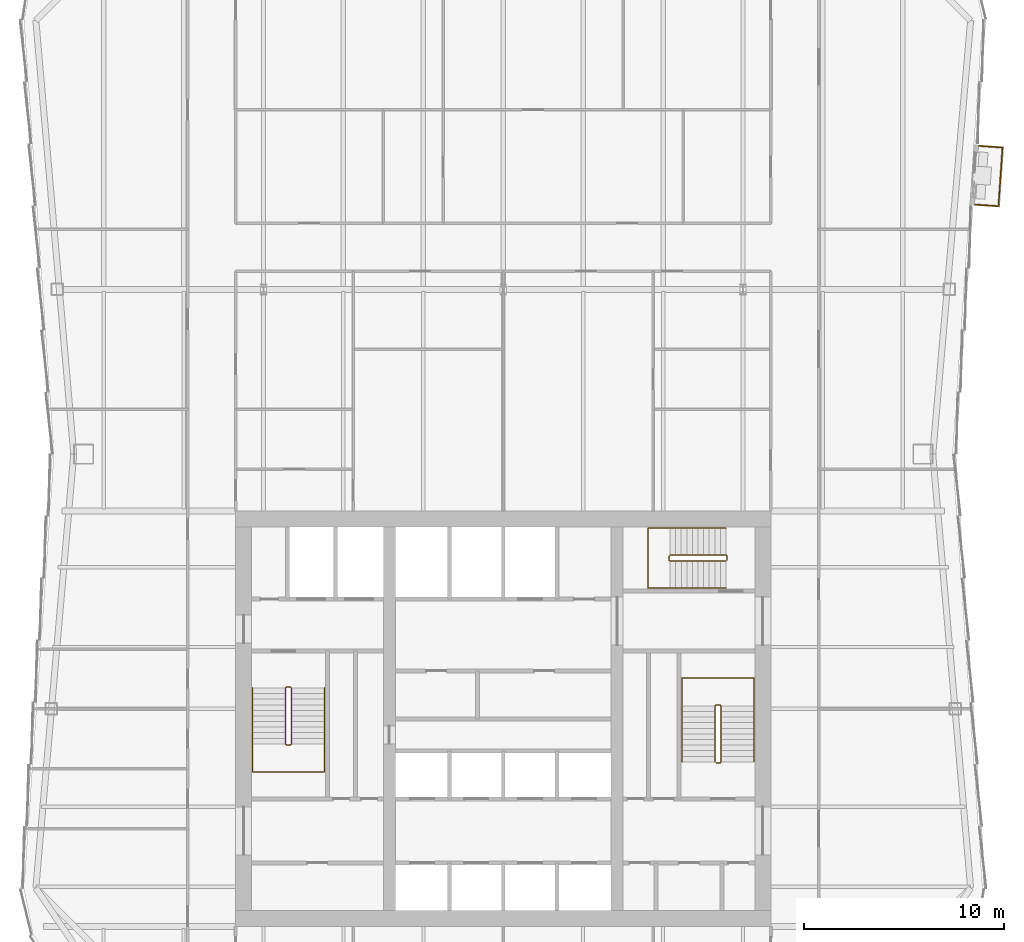
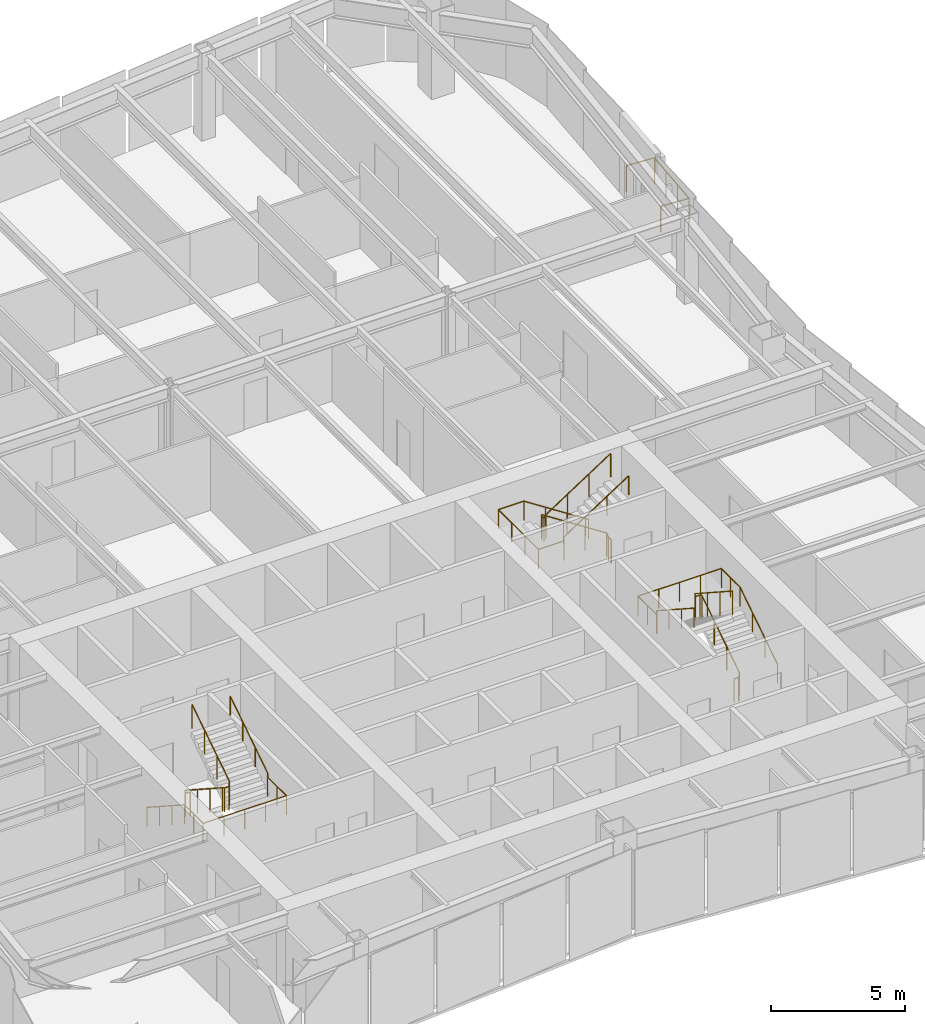
# One storey, part 10 of 11: 7 railings.
"""IFC4 building model written with IfcOpenShell, lengths in metres."""

from ifc_helpers import new_model, si_unit, direction, frame, origin, origin_2d, place, context, subcontext, project, spatial, circle, extrude, material, type_object, element, save


model = new_model("IFC4")

# Units and contexts
model_context = context("Model", 3, precision=1e-05, world=origin(), true_north=direction((0.0, 1.0)))
body_context = subcontext(model_context, "Body", "Model", "MODEL_VIEW")
ifc_project = project(units=[si_unit("LENGTHUNIT", "METRE"), si_unit("AREAUNIT", "SQUARE_METRE"), si_unit("VOLUMEUNIT", "CUBIC_METRE"), si_unit("PLANEANGLEUNIT", "RADIAN"), si_unit("MASSUNIT", "GRAM", prefix="KILO")], contexts=[model_context])

# Site, building, storey
site_placement = place(None, origin())
site = spatial("IfcSite", under=ifc_project, at=site_placement, CompositionType="ELEMENT")
building_placement = place(site_placement, origin())
building = spatial("IfcBuilding", under=site, at=building_placement, Name="Verdant Reach Tower", CompositionType="ELEMENT")
storey_placement = place(building_placement, frame((0.0, 0.0, 254.0)))
storey = spatial("IfcBuildingStorey", under=building, at=storey_placement, Name="L58", CompositionType="ELEMENT", Elevation=254.0)

# Railings
ifc_material_1 = material(Name="Stainless steel", Category="steel")
railing_type_1 = type_object("IfcRailingType", Name="CO-GUARD", PredefinedType="GUARDRAIL", material=ifc_material_1)
railing_1_placement = place(storey_placement, frame((-10.64990234375, 29.60009765625, 0.0)))
element("IfcRailing", 1, at=railing_1_placement, inside=storey, type_object=railing_type_1, Name="L58 ST-1 stair guard 1", PredefinedType="GUARDRAIL", context=body_context, shape_type="SweptSolid", body=[
    extrude(circle(Radius=0.02392578125, at=origin_2d()), frame((0.0, 0.0, 1.076171875), z_axis=(-1.0, 0.0, 0.0), x_axis=(0.0, -1.0, 0.0)), (0.0, 0.0, 1.0), 0.2001953125),
    extrude(circle(Radius=0.02392578125, at=origin_2d()), frame((-0.2001953125, 0.0, 1.076171875), z_axis=(-0.25526617399, -0.256517478764, 0.932222056972), x_axis=(0.708833529934, -0.705375805398, 0.0)), (0.0, 0.0, 1.0), 0.195068359375),
    extrude(circle(Radius=0.02392578125, at=origin_2d()), frame((-0.25, -0.050048828125, 1.2578125), z_axis=(0.0, -0.838705829183, 0.544584733623), x_axis=(1.0, 0.0, 0.0)), (0.0, 0.0, 1.0), 3.338623046875),
    extrude(circle(Radius=0.02392578125, at=origin_2d()), frame((-0.25, -2.85009765625, 3.076171875), z_axis=(0.705375805398, -0.708833529934, 0.0), x_axis=(0.708833529934, 0.705375805398, 0.0)), (0.0, 0.0, 1.0), 0.070556640625),
    extrude(circle(Radius=0.02392578125, at=origin_2d()), frame((-0.2001953125, -2.900146484375, 3.076171875), z_axis=(1.0, 0.0, 0.0), x_axis=(0.0, 1.0, 0.0)), (0.0, 0.0, 1.0), 0.2001953125),
    extrude(circle(Radius=0.02392578125, at=origin_2d()), frame((0.0, -2.900146484375, 3.076171875), z_axis=(0.25526617399, 0.256517478764, 0.932222056972), x_axis=(-0.708833529934, 0.705375805398, 0.0)), (0.0, 0.0, 1.0), 0.195068359375),
    extrude(circle(Radius=0.02392578125, at=origin_2d()), frame((0.0498046875, -2.85009765625, 3.2578125), z_axis=(0.0, 0.838705829183, 0.544584733623), x_axis=(-1.0, 0.0, 0.0)), (0.0, 0.0, 1.0), 3.338623046875),
    extrude(circle(Radius=0.02099609375, at=origin_2d()), origin(), (0.0, 0.0, 1.0), 1.052001953125),
    extrude(circle(Radius=0.02099609375, at=origin_2d()), frame((-0.2001953125, 0.0, 0.0)), (0.0, 0.0, 1.0), 1.052001953125),
    extrude(circle(Radius=0.02099609375, at=origin_2d()), frame((-0.25, -0.050048828125, 0.181884765625)), (0.0, 0.0, 1.0), 1.052001953125),
    extrude(circle(Radius=0.02099609375, at=origin_2d()), frame((-0.25, -0.9833984375, 0.787841796875)), (0.0, 0.0, 1.0), 1.052001953125),
    extrude(circle(Radius=0.02099609375, at=origin_2d()), frame((-0.25, -1.916748046875, 1.39404296875)), (0.0, 0.0, 1.0), 1.052001953125),
    extrude(circle(Radius=0.02099609375, at=origin_2d()), frame((-0.25, -2.85009765625, 2.0)), (0.0, 0.0, 1.0), 1.052001953125),
    extrude(circle(Radius=0.02099609375, at=origin_2d()), frame((-0.2001953125, -2.900146484375, 2.0)), (0.0, 0.0, 1.0), 1.052001953125),
    extrude(circle(Radius=0.02099609375, at=origin_2d()), frame((0.0, -2.900146484375, 2.0)), (0.0, 0.0, 1.0), 1.052001953125),
    extrude(circle(Radius=0.02099609375, at=origin_2d()), frame((0.0498046875, -2.85009765625, 2.181884765625)), (0.0, 0.0, 1.0), 1.052001953125),
    extrude(circle(Radius=0.02099609375, at=origin_2d()), frame((0.0498046875, -1.916748046875, 2.787841796875)), (0.0, 0.0, 1.0), 1.052001953125),
    extrude(circle(Radius=0.02099609375, at=origin_2d()), frame((0.0498046875, -0.9833984375, 3.39404296875)), (0.0, 0.0, 1.0), 1.052001953125),
    extrude(circle(Radius=0.02099609375, at=origin_2d()), frame((0.0498046875, -0.050048828125, 4.0)), (0.0, 0.0, 1.0), 1.052001953125),
])
railing_2_placement = place(storey_placement, frame((10.64990234375, 25.800048828125, 0.0)))
element("IfcRailing", 2, at=railing_2_placement, inside=storey, type_object=railing_type_1, Name="L58 ST-2 stair guard 1", PredefinedType="GUARDRAIL", context=body_context, shape_type="SweptSolid", body=[
    extrude(circle(Radius=0.02392578125, at=origin_2d()), frame((0.0, 0.0, 1.076171875), z_axis=(1.0, 0.0, 0.0), x_axis=(0.0, 1.0, 0.0)), (0.0, 0.0, 1.0), 0.2001953125),
    extrude(circle(Radius=0.02392578125, at=origin_2d()), frame((0.2001953125, 0.0, 1.076171875), z_axis=(0.25526617399, 0.256517478764, 0.932222056972), x_axis=(-0.708833529934, 0.705375805398, 0.0)), (0.0, 0.0, 1.0), 0.195068359375),
    extrude(circle(Radius=0.02392578125, at=origin_2d()), frame((0.25, 0.050048828125, 1.2578125), z_axis=(0.0, 0.83868413941, 0.544618136222), x_axis=(-1.0, 0.0, 0.0)), (0.0, 0.0, 1.0), 3.33837890625),
    extrude(circle(Radius=0.02392578125, at=origin_2d()), frame((0.25, 2.849853515625, 3.076171875), z_axis=(-0.705375805398, 0.708833529934, 0.0), x_axis=(-0.708833529934, -0.705375805398, 0.0)), (0.0, 0.0, 1.0), 0.070556640625),
    extrude(circle(Radius=0.02392578125, at=origin_2d()), frame((0.2001953125, 2.89990234375, 3.076171875), z_axis=(-1.0, 0.0, 0.0), x_axis=(0.0, -1.0, 0.0)), (0.0, 0.0, 1.0), 0.2001953125),
    extrude(circle(Radius=0.02392578125, at=origin_2d()), frame((0.0, 2.89990234375, 3.076171875), z_axis=(-0.25526617399, -0.256517478764, 0.932222056972), x_axis=(0.708833529934, -0.705375805398, 0.0)), (0.0, 0.0, 1.0), 0.195068359375),
    extrude(circle(Radius=0.02392578125, at=origin_2d()), frame((-0.0498046875, 2.849853515625, 3.2578125), z_axis=(0.0, -0.83868413941, 0.544618136222), x_axis=(1.0, 0.0, 0.0)), (0.0, 0.0, 1.0), 3.33837890625),
    extrude(circle(Radius=0.02099609375, at=origin_2d()), origin(), (0.0, 0.0, 1.0), 1.052001953125),
    extrude(circle(Radius=0.02099609375, at=origin_2d()), frame((0.2001953125, 0.0, 0.0)), (0.0, 0.0, 1.0), 1.052001953125),
    extrude(circle(Radius=0.02099609375, at=origin_2d()), frame((0.25, 0.050048828125, 0.181884765625)), (0.0, 0.0, 1.0), 1.052001953125),
    extrude(circle(Radius=0.02099609375, at=origin_2d()), frame((0.25, 0.9833984375, 0.787841796875)), (0.0, 0.0, 1.0), 1.052001953125),
    extrude(circle(Radius=0.02099609375, at=origin_2d()), frame((0.25, 1.91650390625, 1.39404296875)), (0.0, 0.0, 1.0), 1.052001953125),
    extrude(circle(Radius=0.02099609375, at=origin_2d()), frame((0.25, 2.849853515625, 2.0)), (0.0, 0.0, 1.0), 1.052001953125),
    extrude(circle(Radius=0.02099609375, at=origin_2d()), frame((0.2001953125, 2.89990234375, 2.0)), (0.0, 0.0, 1.0), 1.052001953125),
    extrude(circle(Radius=0.02099609375, at=origin_2d()), frame((0.0, 2.89990234375, 2.0)), (0.0, 0.0, 1.0), 1.052001953125),
    extrude(circle(Radius=0.02099609375, at=origin_2d()), frame((-0.0498046875, 2.849853515625, 2.181884765625)), (0.0, 0.0, 1.0), 1.052001953125),
    extrude(circle(Radius=0.02099609375, at=origin_2d()), frame((-0.0498046875, 1.91650390625, 2.787841796875)), (0.0, 0.0, 1.0), 1.052001953125),
    extrude(circle(Radius=0.02099609375, at=origin_2d()), frame((-0.0498046875, 0.9833984375, 3.39404296875)), (0.0, 0.0, 1.0), 1.052001953125),
    extrude(circle(Radius=0.02099609375, at=origin_2d()), frame((-0.0498046875, 0.050048828125, 4.0)), (0.0, 0.0, 1.0), 1.052001953125),
])
railing_3_placement = place(storey_placement, frame((11.199951171875, 35.949951171875, 0.0)))
element("IfcRailing", 3, at=railing_3_placement, inside=storey, type_object=railing_type_1, Name="L58 ST-3 stair guard 1", PredefinedType="GUARDRAIL", context=body_context, shape_type="SweptSolid", body=[
    extrude(circle(Radius=0.02392578125, at=origin_2d()), frame((0.0, 0.0, 1.076171875), z_axis=(0.0, 1.0, 0.0), x_axis=(-1.0, 0.0, 0.0)), (0.0, 0.0, 1.0), 0.199951171875),
    extrude(circle(Radius=0.02392578125, at=origin_2d()), frame((0.0, 0.199951171875, 1.076171875), z_axis=(-0.256435381639, 0.256435381639, 0.931923704005), x_axis=(-0.707106781187, -0.707106781187, 0.0)), (0.0, 0.0, 1.0), 0.195068359375),
    extrude(circle(Radius=0.02392578125, at=origin_2d()), frame((-0.050048828125, 0.25, 1.2578125), z_axis=(-0.83868413941, 0.0, 0.544618136222), x_axis=(0.0, -1.0, 0.0)), (0.0, 0.0, 1.0), 3.33837890625),
    extrude(circle(Radius=0.02392578125, at=origin_2d()), frame((-2.849853515625, 0.25, 3.076171875), z_axis=(-0.707106781187, -0.707106781187, 0.0), x_axis=(0.707106781187, -0.707106781187, 0.0)), (0.0, 0.0, 1.0), 0.07080078125),
    extrude(circle(Radius=0.02392578125, at=origin_2d()), frame((-2.89990234375, 0.199951171875, 3.076171875), z_axis=(0.0, -1.0, 0.0), x_axis=(1.0, 0.0, 0.0)), (0.0, 0.0, 1.0), 0.199951171875),
    extrude(circle(Radius=0.02392578125, at=origin_2d()), frame((-2.89990234375, 0.0, 3.076171875), z_axis=(0.256435381639, -0.256435381639, 0.931923704005), x_axis=(0.707106781187, 0.707106781187, 0.0)), (0.0, 0.0, 1.0), 0.195068359375),
    extrude(circle(Radius=0.02392578125, at=origin_2d()), frame((-2.849853515625, -0.050048828125, 3.2578125), z_axis=(0.83868413941, 0.0, 0.544618136222), x_axis=(0.0, 1.0, 0.0)), (0.0, 0.0, 1.0), 3.33837890625),
    extrude(circle(Radius=0.02099609375, at=origin_2d()), origin(), (0.0, 0.0, 1.0), 1.052001953125),
    extrude(circle(Radius=0.02099609375, at=origin_2d()), frame((0.0, 0.199951171875, 0.0)), (0.0, 0.0, 1.0), 1.052001953125),
    extrude(circle(Radius=0.02099609375, at=origin_2d()), frame((-0.050048828125, 0.25, 0.181884765625)), (0.0, 0.0, 1.0), 1.052001953125),
    extrude(circle(Radius=0.02099609375, at=origin_2d()), frame((-0.9833984375, 0.25, 0.787841796875)), (0.0, 0.0, 1.0), 1.052001953125),
    extrude(circle(Radius=0.02099609375, at=origin_2d()), frame((-1.91650390625, 0.25, 1.39404296875)), (0.0, 0.0, 1.0), 1.052001953125),
    extrude(circle(Radius=0.02099609375, at=origin_2d()), frame((-2.849853515625, 0.25, 2.0)), (0.0, 0.0, 1.0), 1.052001953125),
    extrude(circle(Radius=0.02099609375, at=origin_2d()), frame((-2.89990234375, 0.199951171875, 2.0)), (0.0, 0.0, 1.0), 1.052001953125),
    extrude(circle(Radius=0.02099609375, at=origin_2d()), frame((-2.89990234375, 0.0, 2.0)), (0.0, 0.0, 1.0), 1.052001953125),
    extrude(circle(Radius=0.02099609375, at=origin_2d()), frame((-2.849853515625, -0.050048828125, 2.181884765625)), (0.0, 0.0, 1.0), 1.052001953125),
    extrude(circle(Radius=0.02099609375, at=origin_2d()), frame((-1.91650390625, -0.050048828125, 2.787841796875)), (0.0, 0.0, 1.0), 1.052001953125),
    extrude(circle(Radius=0.02099609375, at=origin_2d()), frame((-0.9833984375, -0.050048828125, 3.39404296875)), (0.0, 0.0, 1.0), 1.052001953125),
    extrude(circle(Radius=0.02099609375, at=origin_2d()), frame((-0.050048828125, -0.050048828125, 4.0)), (0.0, 0.0, 1.0), 1.052001953125),
])
railing_type_2 = type_object("IfcRailingType", Name="CO-HANDRAIL", PredefinedType="HANDRAIL", material=ifc_material_1)
railing_4_placement = place(storey_placement, frame((-12.550048828125, 29.550048828125, 0.181884765625)))
element("IfcRailing", 4, at=railing_4_placement, inside=storey, type_object=railing_type_2, Name="L58 ST-1 stair handrail 1", PredefinedType="HANDRAIL", context=body_context, shape_type="SweptSolid", body=[
    extrude(circle(Radius=0.02392578125, at=origin_2d()), frame((0.0, 0.0, 0.8759765625), z_axis=(0.0, -0.838705829183, 0.544584733623), x_axis=(1.0, 0.0, 0.0)), (0.0, 0.0, 1.0), 3.338623046875),
    extrude(circle(Radius=0.02392578125, at=origin_2d()), frame((0.0, -2.800048828125, 2.69384765625), z_axis=(0.0, -1.0, 0.0), x_axis=(1.0, 0.0, 0.0)), (0.0, 0.0, 1.0), 1.39990234375),
    extrude(circle(Radius=0.02392578125, at=origin_2d()), frame((0.0, -4.199951171875, 2.69384765625), z_axis=(1.0, 0.0, 0.0), x_axis=(0.0, 1.0, 0.0)), (0.0, 0.0, 1.0), 3.60009765625),
    extrude(circle(Radius=0.02392578125, at=origin_2d()), frame((3.60009765625, -4.199951171875, 2.69384765625), z_axis=(0.0, 1.0, 0.0), x_axis=(-1.0, 0.0, 0.0)), (0.0, 0.0, 1.0), 1.39990234375),
    extrude(circle(Radius=0.02392578125, at=origin_2d()), frame((3.60009765625, -2.800048828125, 2.69384765625), z_axis=(0.0, 0.0, 1.0), x_axis=(1.0, 0.0, 0.0)), (0.0, 0.0, 1.0), 0.181884765625),
    extrude(circle(Radius=0.02392578125, at=origin_2d()), frame((3.60009765625, -2.800048828125, 2.8759765625), z_axis=(0.0, 0.838705829183, 0.544584733623), x_axis=(-1.0, 0.0, 0.0)), (0.0, 0.0, 1.0), 3.338623046875),
    extrude(circle(Radius=0.02099609375, at=origin_2d()), origin(), (0.0, 0.0, 1.0), 0.851806640625),
    extrude(circle(Radius=0.02099609375, at=origin_2d()), frame((0.0, -0.933349609375, 0.60595703125)), (0.0, 0.0, 1.0), 0.851806640625),
    extrude(circle(Radius=0.02099609375, at=origin_2d()), frame((0.0, -1.86669921875, 1.212158203125)), (0.0, 0.0, 1.0), 0.851806640625),
    extrude(circle(Radius=0.02099609375, at=origin_2d()), frame((0.0, -2.800048828125, 1.818115234375)), (0.0, 0.0, 1.0), 0.851806640625),
    extrude(circle(Radius=0.02099609375, at=origin_2d()), frame((0.0, -3.5, 1.818115234375)), (0.0, 0.0, 1.0), 0.851806640625),
    extrude(circle(Radius=0.02099609375, at=origin_2d()), frame((0.0, -4.199951171875, 1.818115234375)), (0.0, 0.0, 1.0), 0.851806640625),
    extrude(circle(Radius=0.02099609375, at=origin_2d()), frame((0.89990234375, -4.199951171875, 1.818115234375)), (0.0, 0.0, 1.0), 0.851806640625),
    extrude(circle(Radius=0.02099609375, at=origin_2d()), frame((1.800048828125, -4.199951171875, 1.818115234375)), (0.0, 0.0, 1.0), 0.851806640625),
    extrude(circle(Radius=0.02099609375, at=origin_2d()), frame((2.7001953125, -4.199951171875, 1.818115234375)), (0.0, 0.0, 1.0), 0.851806640625),
    extrude(circle(Radius=0.02099609375, at=origin_2d()), frame((3.60009765625, -4.199951171875, 1.818115234375)), (0.0, 0.0, 1.0), 0.851806640625),
    extrude(circle(Radius=0.02099609375, at=origin_2d()), frame((3.60009765625, -3.5, 1.818115234375)), (0.0, 0.0, 1.0), 0.851806640625),
    extrude(circle(Radius=0.02099609375, at=origin_2d()), frame((3.60009765625, -2.800048828125, 1.818115234375)), (0.0, 0.0, 1.0), 0.851806640625),
    extrude(circle(Radius=0.02099609375, at=origin_2d()), frame((3.60009765625, -2.800048828125, 2.0)), (0.0, 0.0, 1.0), 0.851806640625),
    extrude(circle(Radius=0.02099609375, at=origin_2d()), frame((3.60009765625, -1.86669921875, 2.60595703125)), (0.0, 0.0, 1.0), 0.851806640625),
    extrude(circle(Radius=0.02099609375, at=origin_2d()), frame((3.60009765625, -0.933349609375, 3.212158203125)), (0.0, 0.0, 1.0), 0.851806640625),
    extrude(circle(Radius=0.02099609375, at=origin_2d()), frame((3.60009765625, 0.0, 3.818115234375)), (0.0, 0.0, 1.0), 0.851806640625),
])
railing_5_placement = place(storey_placement, frame((12.550048828125, 25.85009765625, 0.181884765625)))
element("IfcRailing", 5, at=railing_5_placement, inside=storey, type_object=railing_type_2, Name="L58 ST-2 stair handrail 1", PredefinedType="HANDRAIL", context=body_context, shape_type="SweptSolid", body=[
    extrude(circle(Radius=0.02392578125, at=origin_2d()), frame((0.0, 0.0, 0.8759765625), z_axis=(0.0, 0.83868413941, 0.544618136222), x_axis=(-1.0, 0.0, 0.0)), (0.0, 0.0, 1.0), 3.33837890625),
    extrude(circle(Radius=0.02392578125, at=origin_2d()), frame((0.0, 2.7998046875, 2.69384765625), z_axis=(0.0, 1.0, 0.0), x_axis=(-1.0, 0.0, 0.0)), (0.0, 0.0, 1.0), 1.400146484375),
    extrude(circle(Radius=0.02392578125, at=origin_2d()), frame((0.0, 4.199951171875, 2.69384765625), z_axis=(-1.0, 0.0, 0.0), x_axis=(0.0, -1.0, 0.0)), (0.0, 0.0, 1.0), 3.60009765625),
    extrude(circle(Radius=0.02392578125, at=origin_2d()), frame((-3.60009765625, 4.199951171875, 2.69384765625), z_axis=(0.0, -1.0, 0.0), x_axis=(1.0, 0.0, 0.0)), (0.0, 0.0, 1.0), 1.400146484375),
    extrude(circle(Radius=0.02392578125, at=origin_2d()), frame((-3.60009765625, 2.7998046875, 2.69384765625), z_axis=(0.0, 0.0, 1.0), x_axis=(1.0, 0.0, 0.0)), (0.0, 0.0, 1.0), 0.181884765625),
    extrude(circle(Radius=0.02392578125, at=origin_2d()), frame((-3.60009765625, 2.7998046875, 2.8759765625), z_axis=(0.0, -0.83868413941, 0.544618136222), x_axis=(1.0, 0.0, 0.0)), (0.0, 0.0, 1.0), 3.33837890625),
    extrude(circle(Radius=0.02099609375, at=origin_2d()), origin(), (0.0, 0.0, 1.0), 0.851806640625),
    extrude(circle(Radius=0.02099609375, at=origin_2d()), frame((0.0, 0.933349609375, 0.60595703125)), (0.0, 0.0, 1.0), 0.851806640625),
    extrude(circle(Radius=0.02099609375, at=origin_2d()), frame((0.0, 1.866455078125, 1.212158203125)), (0.0, 0.0, 1.0), 0.851806640625),
    extrude(circle(Radius=0.02099609375, at=origin_2d()), frame((0.0, 2.7998046875, 1.818115234375)), (0.0, 0.0, 1.0), 0.851806640625),
    extrude(circle(Radius=0.02099609375, at=origin_2d()), frame((0.0, 3.5, 1.818115234375)), (0.0, 0.0, 1.0), 0.851806640625),
    extrude(circle(Radius=0.02099609375, at=origin_2d()), frame((0.0, 4.199951171875, 1.818115234375)), (0.0, 0.0, 1.0), 0.851806640625),
    extrude(circle(Radius=0.02099609375, at=origin_2d()), frame((-0.89990234375, 4.199951171875, 1.818115234375)), (0.0, 0.0, 1.0), 0.851806640625),
    extrude(circle(Radius=0.02099609375, at=origin_2d()), frame((-1.800048828125, 4.199951171875, 1.818115234375)), (0.0, 0.0, 1.0), 0.851806640625),
    extrude(circle(Radius=0.02099609375, at=origin_2d()), frame((-2.7001953125, 4.199951171875, 1.818115234375)), (0.0, 0.0, 1.0), 0.851806640625),
    extrude(circle(Radius=0.02099609375, at=origin_2d()), frame((-3.60009765625, 4.199951171875, 1.818115234375)), (0.0, 0.0, 1.0), 0.851806640625),
    extrude(circle(Radius=0.02099609375, at=origin_2d()), frame((-3.60009765625, 3.5, 1.818115234375)), (0.0, 0.0, 1.0), 0.851806640625),
    extrude(circle(Radius=0.02099609375, at=origin_2d()), frame((-3.60009765625, 2.7998046875, 1.818115234375)), (0.0, 0.0, 1.0), 0.851806640625),
    extrude(circle(Radius=0.02099609375, at=origin_2d()), frame((-3.60009765625, 2.7998046875, 2.0)), (0.0, 0.0, 1.0), 0.851806640625),
    extrude(circle(Radius=0.02099609375, at=origin_2d()), frame((-3.60009765625, 1.866455078125, 2.60595703125)), (0.0, 0.0, 1.0), 0.851806640625),
    extrude(circle(Radius=0.02099609375, at=origin_2d()), frame((-3.60009765625, 0.933349609375, 3.212158203125)), (0.0, 0.0, 1.0), 0.851806640625),
    extrude(circle(Radius=0.02099609375, at=origin_2d()), frame((-3.60009765625, 0.0, 3.818115234375)), (0.0, 0.0, 1.0), 0.851806640625),
])
railing_6_placement = place(storey_placement, frame((11.14990234375, 37.550048828125, 0.181884765625)))
element("IfcRailing", 6, at=railing_6_placement, inside=storey, type_object=railing_type_2, Name="L58 ST-3 stair handrail 1", PredefinedType="HANDRAIL", context=body_context, shape_type="SweptSolid", body=[
    extrude(circle(Radius=0.02392578125, at=origin_2d()), frame((0.0, 0.0, 0.8759765625), z_axis=(-0.83868413941, 0.0, 0.544618136222), x_axis=(0.0, -1.0, 0.0)), (0.0, 0.0, 1.0), 3.33837890625),
    extrude(circle(Radius=0.02392578125, at=origin_2d()), frame((-2.7998046875, 0.0, 2.69384765625), z_axis=(-1.0, 0.0, 0.0), x_axis=(0.0, -1.0, 0.0)), (0.0, 0.0, 1.0), 1.10009765625),
    extrude(circle(Radius=0.02392578125, at=origin_2d()), frame((-3.89990234375, 0.0, 2.69384765625), z_axis=(0.0, -1.0, 0.0), x_axis=(1.0, 0.0, 0.0)), (0.0, 0.0, 1.0), 3.0),
    extrude(circle(Radius=0.02392578125, at=origin_2d()), frame((-3.89990234375, -3.0, 2.69384765625), z_axis=(1.0, 0.0, 0.0), x_axis=(0.0, 1.0, 0.0)), (0.0, 0.0, 1.0), 1.10009765625),
    extrude(circle(Radius=0.02392578125, at=origin_2d()), frame((-2.7998046875, -3.0, 2.69384765625), z_axis=(0.0, 0.0, 1.0), x_axis=(1.0, 0.0, 0.0)), (0.0, 0.0, 1.0), 0.181884765625),
    extrude(circle(Radius=0.02392578125, at=origin_2d()), frame((-2.7998046875, -3.0, 2.8759765625), z_axis=(0.83868413941, 0.0, 0.544618136222), x_axis=(0.0, 1.0, 0.0)), (0.0, 0.0, 1.0), 3.33837890625),
    extrude(circle(Radius=0.02099609375, at=origin_2d()), origin(), (0.0, 0.0, 1.0), 0.851806640625),
    extrude(circle(Radius=0.02099609375, at=origin_2d()), frame((-0.933349609375, 0.0, 0.60595703125)), (0.0, 0.0, 1.0), 0.851806640625),
    extrude(circle(Radius=0.02099609375, at=origin_2d()), frame((-1.866455078125, 0.0, 1.212158203125)), (0.0, 0.0, 1.0), 0.851806640625),
    extrude(circle(Radius=0.02099609375, at=origin_2d()), frame((-2.7998046875, 0.0, 1.818115234375)), (0.0, 0.0, 1.0), 0.851806640625),
    extrude(circle(Radius=0.02099609375, at=origin_2d()), frame((-3.89990234375, 0.0, 1.818115234375)), (0.0, 0.0, 1.0), 0.851806640625),
    extrude(circle(Radius=0.02099609375, at=origin_2d()), frame((-3.89990234375, -1.0, 1.818115234375)), (0.0, 0.0, 1.0), 0.851806640625),
    extrude(circle(Radius=0.02099609375, at=origin_2d()), frame((-3.89990234375, -2.0, 1.818115234375)), (0.0, 0.0, 1.0), 0.851806640625),
    extrude(circle(Radius=0.02099609375, at=origin_2d()), frame((-3.89990234375, -3.0, 1.818115234375)), (0.0, 0.0, 1.0), 0.851806640625),
    extrude(circle(Radius=0.02099609375, at=origin_2d()), frame((-2.7998046875, -3.0, 1.818115234375)), (0.0, 0.0, 1.0), 0.851806640625),
    extrude(circle(Radius=0.02099609375, at=origin_2d()), frame((-2.7998046875, -3.0, 2.0)), (0.0, 0.0, 1.0), 0.851806640625),
    extrude(circle(Radius=0.02099609375, at=origin_2d()), frame((-1.866455078125, -3.0, 2.60595703125)), (0.0, 0.0, 1.0), 0.851806640625),
    extrude(circle(Radius=0.02099609375, at=origin_2d()), frame((-0.933349609375, -3.0, 3.212158203125)), (0.0, 0.0, 1.0), 0.851806640625),
    extrude(circle(Radius=0.02099609375, at=origin_2d()), frame((0.0, -3.0, 3.818115234375)), (0.0, 0.0, 1.0), 0.851806640625),
])
ifc_material_2 = material(Name="Stainless steel and laminated glass balustrade", Category="steel")
railing_type_3 = type_object("IfcRailingType", Name="EN-RAILING BALCONY", PredefinedType="GUARDRAIL", material=ifc_material_2)
railing_7_placement = place(storey_placement, frame((23.6162109375, 53.744873046875, 0.0)))
element("IfcRailing", 7, at=railing_7_placement, inside=storey, type_object=railing_type_3, Name="Balcony guard 1, L58", PredefinedType="GUARDRAIL", context=body_context, shape_type="SweptSolid", body=[
    extrude(circle(Radius=0.02490234375, at=origin_2d()), frame((0.0, 0.0, 1.1748046875), z_axis=(0.997636711247, -0.068709478032, 0.0), x_axis=(0.068709478032, 0.997636711247, 0.0)), (0.0, 0.0, 1.0), 1.176025390625),
    extrude(circle(Radius=0.02490234375, at=origin_2d()), frame((1.17333984375, -0.080810546875, 1.1748046875), z_axis=(0.068773654488, 0.997632289197, 0.0), x_axis=(-0.997632289197, 0.068773654488, 0.0)), (0.0, 0.0, 1.0), 2.946533203125),
    extrude(circle(Radius=0.02490234375, at=origin_2d()), frame((1.3759765625, 2.858642578125, 1.1748046875), z_axis=(-0.997635730952, 0.068723710082, 0.0), x_axis=(-0.068723710082, -0.997635730952, 0.0)), (0.0, 0.0, 1.0), 1.17578125),
    extrude(circle(Radius=0.02490234375, at=origin_2d()), origin(), (0.0, 0.0, 1.0), 1.14990234375),
    extrude(circle(Radius=0.02490234375, at=origin_2d()), frame((1.17333984375, -0.080810546875, 0.0)), (0.0, 0.0, 1.0), 1.14990234375),
    extrude(circle(Radius=0.02490234375, at=origin_2d()), frame((1.240966796875, 0.89892578125, 0.0)), (0.0, 0.0, 1.0), 1.14990234375),
    extrude(circle(Radius=0.02490234375, at=origin_2d()), frame((1.308349609375, 1.87890625, 0.0)), (0.0, 0.0, 1.0), 1.14990234375),
    extrude(circle(Radius=0.02490234375, at=origin_2d()), frame((1.3759765625, 2.858642578125, 0.0)), (0.0, 0.0, 1.0), 1.14990234375),
    extrude(circle(Radius=0.02490234375, at=origin_2d()), frame((0.202880859375, 2.939453125, 0.0)), (0.0, 0.0, 1.0), 1.14990234375),
])

save(model, "model.ifc")
